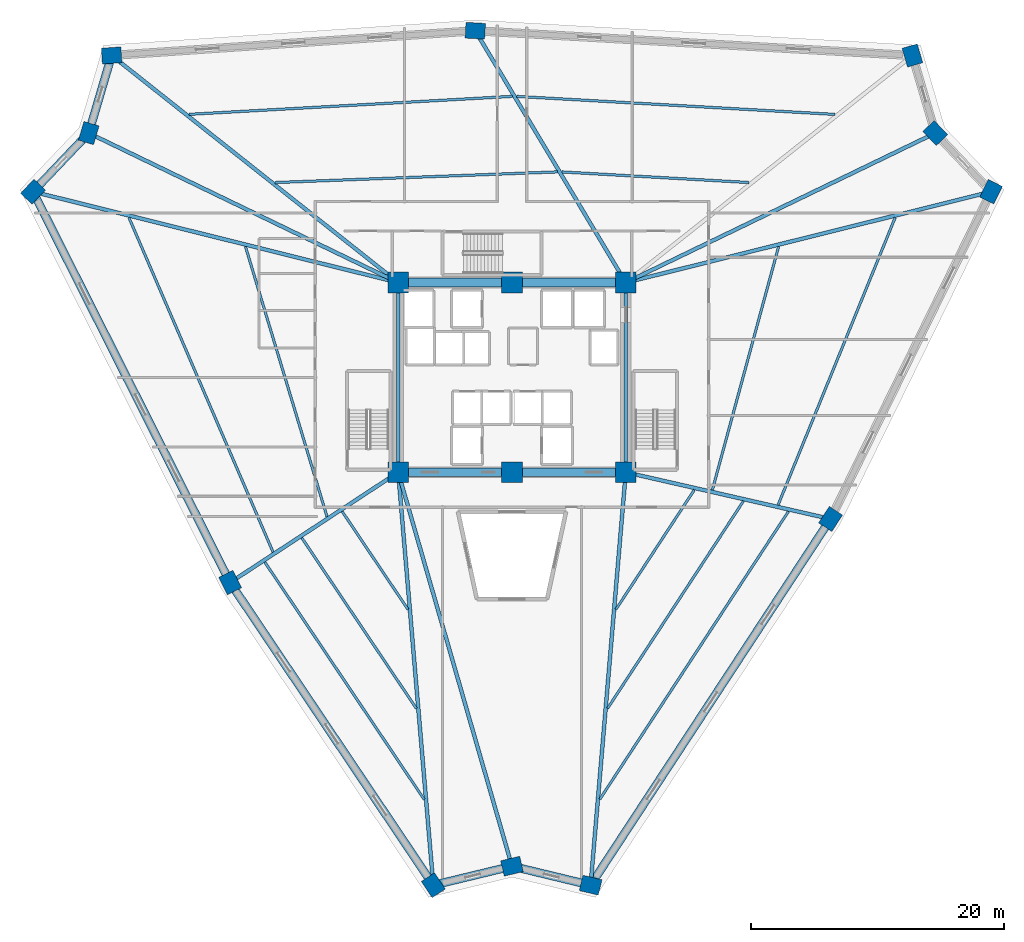
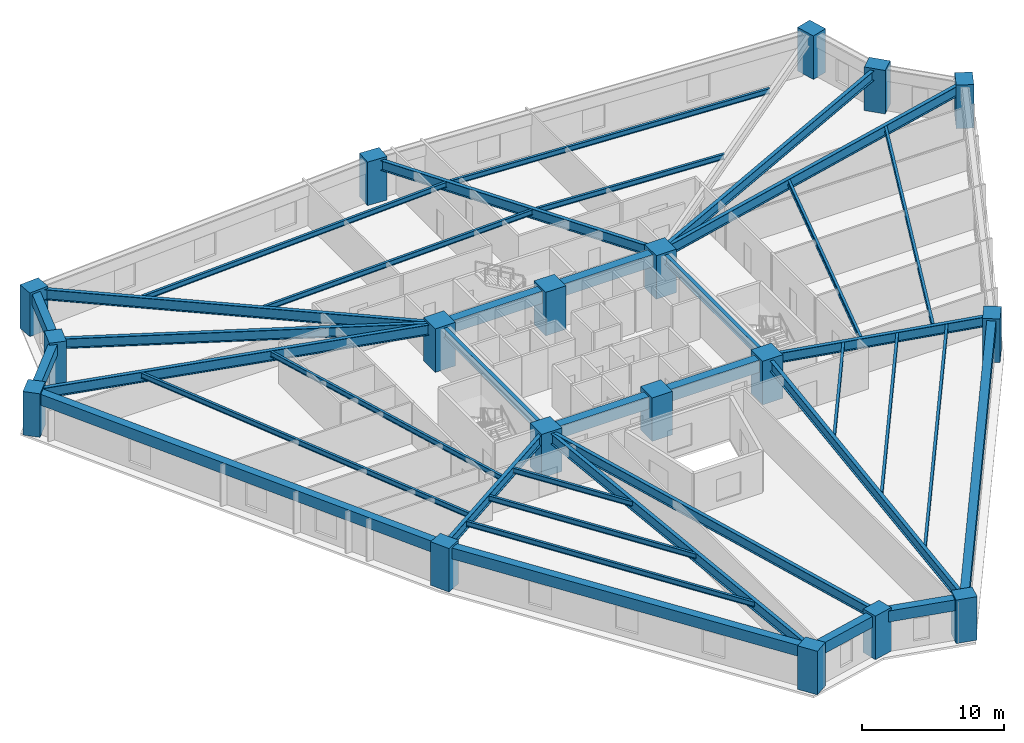
# One storey, part 1 of 8: 38 beams, 18 columns.
"""IFC4 building model written with IfcOpenShell, lengths in metres."""

from ifc_helpers import new_model, si_unit, direction, frame, origin, origin_2d, place, context, subcontext, project, spatial, rectangle, i_section, extrude, source, transform, mapped, material, material_profile, profile_set, type_object, element, save


model = new_model("IFC4")

# Units and contexts
model_context = context("Model", 3, precision=1e-05, world=origin(), true_north=direction((0.0, 1.0)))
body_context = subcontext(model_context, "Body", "Model", "MODEL_VIEW")
ifc_project = project(units=[si_unit("LENGTHUNIT", "METRE"), si_unit("AREAUNIT", "SQUARE_METRE"), si_unit("VOLUMEUNIT", "CUBIC_METRE"), si_unit("PLANEANGLEUNIT", "RADIAN"), si_unit("MASSUNIT", "GRAM", prefix="KILO")], contexts=[model_context])

# Site, building, storey
site_placement = place(None, origin())
site = spatial("IfcSite", under=ifc_project, at=site_placement, CompositionType="ELEMENT")
building_placement = place(site_placement, origin())
building = spatial("IfcBuilding", under=site, at=building_placement, Name="Liaohun Quay Tower", CompositionType="ELEMENT")
storey_placement = place(building_placement, frame((0.0, 0.0, 78.0)))
storey = spatial("IfcBuildingStorey", under=building, at=storey_placement, Name="L20", CompositionType="ELEMENT", Elevation=78.0)

# Columns
ifc_material_1 = material(Name="Concrete C60", Category="concrete")
ifc_material_profile_1 = material_profile(ifc_material_1, rectangle(XDim=1.64990234375, YDim=1.64990234375, at=origin_2d()), Name="RC1650x1650")
ifc_profile_set_1 = profile_set([ifc_material_profile_1], Name="Concrete C60")
column_type_1 = type_object("IfcColumnType", Name="COL-CC-Z1", PredefinedType="COLUMN", material=ifc_profile_set_1)
shared_shape_1 = source(origin(), body_context, "Body", "SweptSolid", [
    extrude(rectangle(XDim=1.64990234375, YDim=1.64990234375, at=origin_2d()), origin(), (0.0, 0.0, 1.0), 3.75),
])
for number, where, z_axis, x_axis, name in (
    (1, (51.0, 46.5, 0.0), (0.0, 0.0, 1.0), (1.0, 0.0, 0.0), "L20 Core Column CC1"),
    (2, (60.0, 46.5, 0.0), (0.0, 0.0, 1.0), (1.0, 0.0, 0.0), "L20 Core Column CC2"),
    (3, (69.0, 46.5, 0.0), (0.0, 0.0, 1.0), (1.0, 0.0, 0.0), "L20 Core Column CC3"),
    (4, (69.0, 61.5, 0.0), (0.0, 0.0, 1.0), (1.0, 0.0, 0.0), "L20 Core Column CC4"),
    (5, (60.0, 61.5, 0.0), (0.0, 0.0, 1.0), (1.0, 0.0, 0.0), "L20 Core Column CC5"),
    (6, (51.0, 61.5, 0.0), (0.0, 0.0, 1.0), (1.0, 0.0, 0.0), "L20 Core Column CC6"),
):
    element("IfcColumn", number, at=place(storey_placement, frame(where, z_axis=z_axis, x_axis=x_axis)), inside=storey, type_object=column_type_1, Name=name, PredefinedType="COLUMN", context=body_context, shape_type="MappedRepresentation", body=[
        mapped(shared_shape_1, transform((0.0, 0.0, 0.0), x_axis=(1.0, 0.0, 0.0), y_axis=(0.0, 1.0, 0.0), z_axis=(0.0, 0.0, 1.0), scale=1.0)),
    ])
ifc_material_profile_2 = material_profile(ifc_material_1, rectangle(XDim=1.550048828125, YDim=1.25, at=origin_2d()), Name="RC1550x1250")
ifc_profile_set_2 = profile_set([ifc_material_profile_2], Name="Concrete C60")
column_type_2 = type_object("IfcColumnType", Name="COL-PIER-Z1", PredefinedType="COLUMN", material=ifc_profile_set_2)
shared_shape_2 = source(origin(), body_context, "Body", "SweptSolid", [
    extrude(rectangle(XDim=1.550048828125, YDim=1.25, at=origin_2d()), origin(), (0.0, 0.0, 1.0), 3.75),
])
for number, where, z_axis, x_axis, name in (
    (7, (53.777099609375, 13.843994140625, 0.0), (0.0, 0.0, 1.0), (-0.557455346062, 0.830206924295, 0.0), "L20 Perimeter Pier PC01"),
    (8, (37.70703125, 37.777099609375, 0.0), (0.0, 0.0, 1.0), (-0.450254288408, 0.892900372813, 0.0), "L20 Perimeter Pier PC02"),
    (9, (22.117919921875, 68.693115234375, 0.0), (0.0, 0.0, 1.0), (0.68936671806, 0.724412539946, 0.0), "L20 Perimeter Pier PC03"),
    (10, (26.52587890625, 73.325927734375, 0.0), (0.0, 0.0, 1.0), (0.282676303383, 0.959215360337, 0.0), "L20 Perimeter Pier PC04"),
    (11, (28.3359375, 79.467041015625, 0.0), (0.0, 0.0, 1.0), (0.997707959868, 0.067667029017, 0.0), "L20 Perimeter Pier PC05"),
    (12, (57.096923828125, 81.41796875, 0.0), (0.0, 0.0, 1.0), (-0.998401550109, 0.056518534482, 0.0), "L20 Perimeter Pier PC06"),
    (13, (91.666015625, 79.4599609375, 0.0), (0.0, 0.0, 1.0), (-0.282676303383, 0.959215360337, 0.0), "L20 Perimeter Pier PC07"),
    (14, (93.47412109375, 73.325927734375, 0.0), (0.0, 0.0, 1.0), (-0.68936671806, 0.724412539946, 0.0), "L20 Perimeter Pier PC08"),
    (15, (97.886962890625, 68.68798828125, 0.0), (0.0, 0.0, 1.0), (0.440252613806, 0.897873953312, 0.0), "L20 Perimeter Pier PC09"),
    (16, (85.196044921875, 42.805908203125, 0.0), (0.0, 0.0, 1.0), (0.548147261701, 0.836381838331, 0.0), "L20 Perimeter Pier PC10"),
    (17, (66.216064453125, 13.845947265625, 0.0), (0.0, 0.0, 1.0), (-0.972043021443, 0.234802820391, 0.0), "L20 Perimeter Pier PC11"),
    (18, (60.0, 15.346923828125, 0.0), (0.0, 0.0, 1.0), (0.972043021443, 0.234802820391, 0.0), "L20 Perimeter Pier PC12"),
):
    element("IfcColumn", number, at=place(storey_placement, frame(where, z_axis=z_axis, x_axis=x_axis)), inside=storey, type_object=column_type_2, Name=name, PredefinedType="COLUMN", context=body_context, shape_type="MappedRepresentation", body=[
        mapped(shared_shape_2, transform((0.0, 0.0, 0.0), x_axis=(1.0, 0.0, 0.0), y_axis=(0.0, 1.0, 0.0), z_axis=(0.0, 0.0, 1.0), scale=1.0)),
    ])

# Beams
ifc_material_profile_3 = material_profile(ifc_material_1, rectangle(XDim=0.699951171875, YDim=1.050048828125, at=origin_2d()), Name="RC700x1050")
ifc_profile_set_3 = profile_set([ifc_material_profile_3], Name="Concrete C60")
beam_type_1 = type_object("IfcBeamType", Name="BM-CPL-1", PredefinedType="LINTEL", material=ifc_profile_set_3)
shared_shape_3 = source(origin(), body_context, "Body", "SweptSolid", [
    extrude(rectangle(XDim=0.699951171875, YDim=1.050048828125, at=origin_2d()), origin(), (0.0, 0.0, 1.0), 9.0),
])
for number, where, z_axis, x_axis, name in (
    (19, (51.0, 46.5, 3.044921875), (1.0, 0.0, 0.0), (0.0, 1.0, 0.0), "L20 Core Coupling/Ring Beam CC1-CC2"),
    (20, (60.0, 46.5, 3.044921875), (1.0, 0.0, 0.0), (0.0, 1.0, 0.0), "L20 Core Coupling/Ring Beam CC2-CC3"),
    (21, (69.0, 61.5, 3.044921875), (-1.0, 0.0, 0.0), (0.0, -1.0, 0.0), "L20 Core Coupling/Ring Beam CC4-CC5"),
    (22, (60.0, 61.5, 3.044921875), (-1.0, 0.0, 0.0), (0.0, -1.0, 0.0), "L20 Core Coupling/Ring Beam CC5-CC6"),
):
    element("IfcBeam", number, at=place(storey_placement, frame(where, z_axis=z_axis, x_axis=x_axis)), inside=storey, type_object=beam_type_1, Name=name, PredefinedType="LINTEL", context=body_context, shape_type="MappedRepresentation", body=[
        mapped(shared_shape_3, transform((0.0, 0.0, 0.0), x_axis=(1.0, 0.0, 0.0), y_axis=(0.0, 1.0, 0.0), z_axis=(0.0, 0.0, 1.0), scale=1.0)),
    ])
ifc_material_2 = material(Name="Steel Q355D", Category="steel")
ifc_material_profile_4 = material_profile(ifc_material_2, i_section(OverallWidth=0.300048828125, OverallDepth=0.800048828125, WebThickness=0.013916015625, FlangeThickness=0.02587890625, at=origin_2d()), Name="HN800x300x14x26")
ifc_profile_set_4 = profile_set([ifc_material_profile_4], Name="Steel Q355D")
beam_type_2 = type_object("IfcBeamType", Name="BM-RAD-M1", PredefinedType="BEAM", material=ifc_profile_set_4)
shared_shape_4 = source(origin(), body_context, "Body", "SweptSolid", [
    extrude(i_section(OverallWidth=0.300048828125, OverallDepth=0.800048828125, WebThickness=0.013916015625, FlangeThickness=0.02587890625, at=origin_2d()), origin(), (0.0, 0.0, 1.0), 15.0),
])
for number, where, z_axis, x_axis, name in (
    (23, (69.0, 46.5, 3.169921875), (0.0, 1.0, 0.0), (-1.0, 0.0, 0.0), "L20 Core Coupling/Ring Beam CC3-CC4"),
    (24, (51.0, 61.5, 3.169921875), (0.0, -1.0, 0.0), (1.0, 0.0, 0.0), "L20 Core Coupling/Ring Beam CC6-CC1"),
):
    element("IfcBeam", number, at=place(storey_placement, frame(where, z_axis=z_axis, x_axis=x_axis)), inside=storey, type_object=beam_type_2, Name=name, PredefinedType="BEAM", context=body_context, shape_type="MappedRepresentation", body=[
        mapped(shared_shape_4, transform((0.0, 0.0, 0.0), x_axis=(1.0, 0.0, 0.0), y_axis=(0.0, 1.0, 0.0), z_axis=(0.0, 0.0, 1.0), scale=1.0)),
    ])
ifc_material_3 = material(Name="Steel Q420D", Category="steel")
ifc_material_profile_5 = material_profile(ifc_material_3, i_section(OverallWidth=0.300048828125, OverallDepth=0.89990234375, WebThickness=0.01611328125, FlangeThickness=0.028076171875, at=origin_2d()), Name="HN900x300x16x28")
ifc_profile_set_5 = profile_set([ifc_material_profile_5], Name="Steel Q420D")
beam_type_3 = type_object("IfcBeamType", Name="BM-RAD-H1", PredefinedType="BEAM", material=ifc_profile_set_5)
shared_shape_5 = source(origin(), body_context, "Body", "SweptSolid", [
    extrude(i_section(OverallWidth=0.300048828125, OverallDepth=0.89990234375, WebThickness=0.01611328125, FlangeThickness=0.028076171875, at=origin_2d()), origin(), (0.0, 0.0, 1.0), 32.77392578125),
])
beam_1_placement = place(storey_placement, frame((51.0, 46.5, 3.1201171875), z_axis=(0.084735157387, -0.996403509178, 0.0), x_axis=(0.996403509178, 0.084735157387, 0.0)))
element("IfcBeam", 25, at=beam_1_placement, inside=storey, type_object=beam_type_3, Name="L20 Radial Primary Girder CC1-PC01", PredefinedType="BEAM", context=body_context, shape_type="MappedRepresentation", body=[
    mapped(shared_shape_5, transform((0.0, 0.0, 0.0), x_axis=(1.0, 0.0, 0.0), y_axis=(0.0, 1.0, 0.0), z_axis=(0.0, 0.0, 1.0), scale=1.0)),
])
ifc_material_profile_6 = material_profile(ifc_material_2, i_section(OverallWidth=0.300048828125, OverallDepth=0.85009765625, WebThickness=0.01611328125, FlangeThickness=0.028076171875, at=origin_2d()), Name="HN850x300x16x28")
ifc_profile_set_6 = profile_set([ifc_material_profile_6], Name="Steel Q355D")
beam_type_4 = type_object("IfcBeamType", Name="BM-RAD-H2", PredefinedType="BEAM", material=ifc_profile_set_6)
shared_shape_6 = source(origin(), body_context, "Body", "SweptSolid", [
    extrude(i_section(OverallWidth=0.300048828125, OverallDepth=0.85009765625, WebThickness=0.01611328125, FlangeThickness=0.028076171875, at=origin_2d()), origin(), (0.0, 0.0, 1.0), 15.8994140625),
])
beam_2_placement = place(storey_placement, frame((51.0, 46.5, 3.14501953125), z_axis=(-0.836065519218, -0.54862960873, 0.0), x_axis=(0.54862960873, -0.836065519218, 0.0)))
element("IfcBeam", 26, at=beam_2_placement, inside=storey, type_object=beam_type_4, Name="L20 Radial Primary Girder CC1-PC02", PredefinedType="BEAM", context=body_context, shape_type="MappedRepresentation", body=[
    mapped(shared_shape_6, transform((0.0, 0.0, 0.0), x_axis=(1.0, 0.0, 0.0), y_axis=(0.0, 1.0, 0.0), z_axis=(0.0, 0.0, 1.0), scale=1.0)),
])
shared_shape_7 = source(origin(), body_context, "Body", "SweptSolid", [
    extrude(i_section(OverallWidth=0.300048828125, OverallDepth=0.89990234375, WebThickness=0.01611328125, FlangeThickness=0.028076171875, at=origin_2d()), origin(), (0.0, 0.0, 1.0), 29.764404296875),
])
beam_3_placement = place(storey_placement, frame((51.0, 61.5, 3.1201171875), z_axis=(-0.970358754461, 0.241668962923, 0.0), x_axis=(-0.241668962923, -0.970358754461, 0.0)))
element("IfcBeam", 27, at=beam_3_placement, inside=storey, type_object=beam_type_3, Name="L20 Radial Primary Girder CC6-PC03", PredefinedType="BEAM", context=body_context, shape_type="MappedRepresentation", body=[
    mapped(shared_shape_7, transform((0.0, 0.0, 0.0), x_axis=(1.0, 0.0, 0.0), y_axis=(0.0, 1.0, 0.0), z_axis=(0.0, 0.0, 1.0), scale=1.0)),
])
shared_shape_8 = source(origin(), body_context, "Body", "SweptSolid", [
    extrude(i_section(OverallWidth=0.300048828125, OverallDepth=0.85009765625, WebThickness=0.01611328125, FlangeThickness=0.028076171875, at=origin_2d()), origin(), (0.0, 0.0, 1.0), 27.181640625),
])
for number, where, z_axis, x_axis, name in (
    (28, (51.0, 61.5, 3.14501953125), (-0.900395517446, 0.435072306821, 0.0), (-0.435072306821, -0.900395517446, 0.0), "L20 Radial Primary Girder CC6-PC04"),
    (29, (69.0, 61.5, 3.14501953125), (0.900395517446, 0.435072306821, 0.0), (-0.435072306821, 0.900395517446, 0.0), "L20 Radial Primary Girder CC4-PC08"),
):
    element("IfcBeam", number, at=place(storey_placement, frame(where, z_axis=z_axis, x_axis=x_axis)), inside=storey, type_object=beam_type_4, Name=name, PredefinedType="BEAM", context=body_context, shape_type="MappedRepresentation", body=[
        mapped(shared_shape_8, transform((0.0, 0.0, 0.0), x_axis=(1.0, 0.0, 0.0), y_axis=(0.0, 1.0, 0.0), z_axis=(0.0, 0.0, 1.0), scale=1.0)),
    ])
shared_shape_9 = source(origin(), body_context, "Body", "SweptSolid", [
    extrude(i_section(OverallWidth=0.300048828125, OverallDepth=0.89990234375, WebThickness=0.01611328125, FlangeThickness=0.028076171875, at=origin_2d()), origin(), (0.0, 0.0, 1.0), 28.921875),
])
beam_4_placement = place(storey_placement, frame((51.0, 61.5, 3.1201171875), z_axis=(-0.783630733102, 0.621226910346, 0.0), x_axis=(-0.621226910346, -0.783630733102, 0.0)))
element("IfcBeam", 30, at=beam_4_placement, inside=storey, type_object=beam_type_3, Name="L20 Radial Primary Girder CC6-PC05", PredefinedType="BEAM", context=body_context, shape_type="MappedRepresentation", body=[
    mapped(shared_shape_9, transform((0.0, 0.0, 0.0), x_axis=(1.0, 0.0, 0.0), y_axis=(0.0, 1.0, 0.0), z_axis=(0.0, 0.0, 1.0), scale=1.0)),
])
shared_shape_10 = source(origin(), body_context, "Body", "SweptSolid", [
    extrude(i_section(OverallWidth=0.300048828125, OverallDepth=0.85009765625, WebThickness=0.01611328125, FlangeThickness=0.028076171875, at=origin_2d()), origin(), (0.0, 0.0, 1.0), 23.20361328125),
])
beam_5_placement = place(storey_placement, frame((69.0, 61.5, 3.14501953125), z_axis=(-0.512983241791, 0.858398621645, 0.0), x_axis=(-0.858398621645, -0.512983241791, 0.0)))
element("IfcBeam", 31, at=beam_5_placement, inside=storey, type_object=beam_type_4, Name="L20 Radial Primary Girder CC4-PC06", PredefinedType="BEAM", context=body_context, shape_type="MappedRepresentation", body=[
    mapped(shared_shape_10, transform((0.0, 0.0, 0.0), x_axis=(1.0, 0.0, 0.0), y_axis=(0.0, 1.0, 0.0), z_axis=(0.0, 0.0, 1.0), scale=1.0)),
])
shared_shape_11 = source(origin(), body_context, "Body", "SweptSolid", [
    extrude(i_section(OverallWidth=0.300048828125, OverallDepth=0.89990234375, WebThickness=0.01611328125, FlangeThickness=0.028076171875, at=origin_2d()), origin(), (0.0, 0.0, 1.0), 29.767822265625),
])
beam_6_placement = place(storey_placement, frame((69.0, 61.5, 3.1201171875), z_axis=(0.970408702908, 0.241468319495, 0.0), x_axis=(-0.241468319495, 0.970408702908, 0.0)))
element("IfcBeam", 32, at=beam_6_placement, inside=storey, type_object=beam_type_3, Name="L20 Radial Primary Girder CC4-PC09", PredefinedType="BEAM", context=body_context, shape_type="MappedRepresentation", body=[
    mapped(shared_shape_11, transform((0.0, 0.0, 0.0), x_axis=(1.0, 0.0, 0.0), y_axis=(0.0, 1.0, 0.0), z_axis=(0.0, 0.0, 1.0), scale=1.0)),
])
shared_shape_12 = source(origin(), body_context, "Body", "SweptSolid", [
    extrude(i_section(OverallWidth=0.300048828125, OverallDepth=0.85009765625, WebThickness=0.01611328125, FlangeThickness=0.028076171875, at=origin_2d()), origin(), (0.0, 0.0, 1.0), 16.612060546875),
])
beam_7_placement = place(storey_placement, frame((69.0, 46.5, 3.14501953125), z_axis=(0.974961199586, -0.222375041995, 0.0), x_axis=(0.222375041995, 0.974961199586, 0.0)))
element("IfcBeam", 33, at=beam_7_placement, inside=storey, type_object=beam_type_4, Name="L20 Radial Primary Girder CC3-PC10", PredefinedType="BEAM", context=body_context, shape_type="MappedRepresentation", body=[
    mapped(shared_shape_12, transform((0.0, 0.0, 0.0), x_axis=(1.0, 0.0, 0.0), y_axis=(0.0, 1.0, 0.0), z_axis=(0.0, 0.0, 1.0), scale=1.0)),
])
shared_shape_13 = source(origin(), body_context, "Body", "SweptSolid", [
    extrude(i_section(OverallWidth=0.300048828125, OverallDepth=0.89990234375, WebThickness=0.01611328125, FlangeThickness=0.028076171875, at=origin_2d()), origin(), (0.0, 0.0, 1.0), 32.7724609375),
])
beam_8_placement = place(storey_placement, frame((69.0, 46.5, 3.1201171875), z_axis=(-0.084947277094, -0.996385447563, 0.0), x_axis=(0.996385447563, -0.084947277094, 0.0)))
element("IfcBeam", 34, at=beam_8_placement, inside=storey, type_object=beam_type_3, Name="L20 Radial Primary Girder CC3-PC11", PredefinedType="BEAM", context=body_context, shape_type="MappedRepresentation", body=[
    mapped(shared_shape_13, transform((0.0, 0.0, 0.0), x_axis=(1.0, 0.0, 0.0), y_axis=(0.0, 1.0, 0.0), z_axis=(0.0, 0.0, 1.0), scale=1.0)),
])
shared_shape_14 = source(origin(), body_context, "Body", "SweptSolid", [
    extrude(i_section(OverallWidth=0.300048828125, OverallDepth=0.85009765625, WebThickness=0.01611328125, FlangeThickness=0.028076171875, at=origin_2d()), origin(), (0.0, 0.0, 1.0), 32.427001953125),
])
beam_9_placement = place(storey_placement, frame((51.0, 46.5, 3.14501953125), z_axis=(0.277545984105, -0.960712353781, 0.0), x_axis=(0.960712353781, 0.277545984105, 0.0)))
element("IfcBeam", 35, at=beam_9_placement, inside=storey, type_object=beam_type_4, Name="L20 Radial Primary Girder CC1-PC12", PredefinedType="BEAM", context=body_context, shape_type="MappedRepresentation", body=[
    mapped(shared_shape_14, transform((0.0, 0.0, 0.0), x_axis=(1.0, 0.0, 0.0), y_axis=(0.0, 1.0, 0.0), z_axis=(0.0, 0.0, 1.0), scale=1.0)),
])
ifc_material_profile_7 = material_profile(ifc_material_2, i_section(OverallWidth=0.199951171875, OverallDepth=0.449951171875, WebThickness=0.009033203125, FlangeThickness=0.013916015625, at=origin_2d()), Name="HN450x200x9x14")
ifc_profile_set_7 = profile_set([ifc_material_profile_7], Name="Steel Q355D")
beam_type_5 = type_object("IfcBeamType", Name="BM-SEC-J1", PredefinedType="JOIST", material=ifc_profile_set_7)
shared_shape_15 = source(origin(), body_context, "Body", "SweptSolid", [
    extrude(i_section(OverallWidth=0.199951171875, OverallDepth=0.449951171875, WebThickness=0.009033203125, FlangeThickness=0.013916015625, at=origin_2d()), origin(), (0.0, 0.0, 1.0), 9.34228515625),
])
beam_10_placement = place(storey_placement, frame((51.77197265625, 35.654052734375, 3.344970703125), z_axis=(-0.557471241996, 0.830196250502, 0.0), x_axis=(-0.830196250502, -0.557471241996, 0.0)))
element("IfcBeam", 36, at=beam_10_placement, inside=storey, type_object=beam_type_5, Name="L20 Wing Secondary Floor Joist SJ-01", PredefinedType="JOIST", context=body_context, shape_type="MappedRepresentation", body=[
    mapped(shared_shape_15, transform((0.0, 0.0, 0.0), x_axis=(1.0, 0.0, 0.0), y_axis=(0.0, 1.0, 0.0), z_axis=(0.0, 0.0, 1.0), scale=1.0)),
])
shared_shape_16 = source(origin(), body_context, "Body", "SweptSolid", [
    extrude(i_section(OverallWidth=0.199951171875, OverallDepth=0.449951171875, WebThickness=0.009033203125, FlangeThickness=0.013916015625, at=origin_2d()), origin(), (0.0, 0.0, 1.0), 16.260498046875),
])
beam_11_placement = place(storey_placement, frame((52.43798828125, 27.81591796875, 3.344970703125), z_axis=(-0.557420586454, 0.830230263118, 0.0), x_axis=(-0.830230263118, -0.557420586454, 0.0)))
element("IfcBeam", 37, at=beam_11_placement, inside=storey, type_object=beam_type_5, Name="L20 Wing Secondary Floor Joist SJ-02", PredefinedType="JOIST", context=body_context, shape_type="MappedRepresentation", body=[
    mapped(shared_shape_16, transform((0.0, 0.0, 0.0), x_axis=(1.0, 0.0, 0.0), y_axis=(0.0, 1.0, 0.0), z_axis=(0.0, 0.0, 1.0), scale=1.0)),
])
shared_shape_17 = source(origin(), body_context, "Body", "SweptSolid", [
    extrude(i_section(OverallWidth=0.199951171875, OverallDepth=0.449951171875, WebThickness=0.009033203125, FlangeThickness=0.013916015625, at=origin_2d()), origin(), (0.0, 0.0, 1.0), 22.602783203125),
])
beam_12_placement = place(storey_placement, frame((53.049072265625, 20.632080078125, 3.344970703125), z_axis=(-0.557458968959, 0.830204491633, 0.0), x_axis=(-0.830204491633, -0.557458968959, 0.0)))
element("IfcBeam", 38, at=beam_12_placement, inside=storey, type_object=beam_type_5, Name="L20 Wing Secondary Floor Joist SJ-03", PredefinedType="JOIST", context=body_context, shape_type="MappedRepresentation", body=[
    mapped(shared_shape_17, transform((0.0, 0.0, 0.0), x_axis=(1.0, 0.0, 0.0), y_axis=(0.0, 1.0, 0.0), z_axis=(0.0, 0.0, 1.0), scale=1.0)),
])
shared_shape_18 = source(origin(), body_context, "Body", "SweptSolid", [
    extrude(i_section(OverallWidth=0.199951171875, OverallDepth=0.449951171875, WebThickness=0.009033203125, FlangeThickness=0.013916015625, at=origin_2d()), origin(), (0.0, 0.0, 1.0), 22.32080078125),
])
beam_13_placement = place(storey_placement, frame((45.3720703125, 42.986083984375, 3.344970703125), z_axis=(-0.289064358546, 0.957309666001, 0.0), x_axis=(-0.957309666001, -0.289064358546, 0.0)))
element("IfcBeam", 39, at=beam_13_placement, inside=storey, type_object=beam_type_5, Name="L20 Wing Secondary Floor Joist SJ-04", PredefinedType="JOIST", context=body_context, shape_type="MappedRepresentation", body=[
    mapped(shared_shape_18, transform((0.0, 0.0, 0.0), x_axis=(1.0, 0.0, 0.0), y_axis=(0.0, 1.0, 0.0), z_axis=(0.0, 0.0, 1.0), scale=1.0)),
])
shared_shape_19 = source(origin(), body_context, "Body", "SweptSolid", [
    extrude(i_section(OverallWidth=0.199951171875, OverallDepth=0.449951171875, WebThickness=0.009033203125, FlangeThickness=0.013916015625, at=origin_2d()), origin(), (0.0, 0.0, 1.0), 28.816162109375),
])
beam_14_placement = place(storey_placement, frame((41.10302734375, 40.18505859375, 3.344970703125), z_axis=(-0.395649732373, 0.918401485883, 0.0), x_axis=(-0.918401485883, -0.395649732373, 0.0)))
element("IfcBeam", 40, at=beam_14_placement, inside=storey, type_object=beam_type_5, Name="L20 Wing Secondary Floor Joist SJ-05", PredefinedType="JOIST", context=body_context, shape_type="MappedRepresentation", body=[
    mapped(shared_shape_19, transform((0.0, 0.0, 0.0), x_axis=(1.0, 0.0, 0.0), y_axis=(0.0, 1.0, 0.0), z_axis=(0.0, 0.0, 1.0), scale=1.0)),
])
shared_shape_20 = source(origin(), body_context, "Body", "SweptSolid", [
    extrude(i_section(OverallWidth=0.199951171875, OverallDepth=0.449951171875, WebThickness=0.009033203125, FlangeThickness=0.013916015625, at=origin_2d()), origin(), (0.0, 0.0, 1.0), 22.349853515625),
])
beam_15_placement = place(storey_placement, frame((41.258056640625, 69.4140625, 3.344970703125), z_axis=(0.999288381748, 0.037719094689, 0.0), x_axis=(-0.037719094689, 0.999288381748, 0.0)))
element("IfcBeam", 41, at=beam_15_placement, inside=storey, type_object=beam_type_5, Name="L20 Wing Secondary Floor Joist SJ-06", PredefinedType="JOIST", context=body_context, shape_type="MappedRepresentation", body=[
    mapped(shared_shape_20, transform((0.0, 0.0, 0.0), x_axis=(1.0, 0.0, 0.0), y_axis=(0.0, 1.0, 0.0), z_axis=(0.0, 0.0, 1.0), scale=1.0)),
])
shared_shape_21 = source(origin(), body_context, "Body", "SweptSolid", [
    extrude(i_section(OverallWidth=0.199951171875, OverallDepth=0.449951171875, WebThickness=0.009033203125, FlangeThickness=0.013916015625, at=origin_2d()), origin(), (0.0, 0.0, 1.0), 25.6083984375),
])
beam_16_placement = place(storey_placement, frame((34.4541015625, 74.80810546875, 3.344970703125), z_axis=(0.998457359659, 0.055523877233, 0.0), x_axis=(-0.055523877233, 0.998457359659, 0.0)))
element("IfcBeam", 42, at=beam_16_placement, inside=storey, type_object=beam_type_5, Name="L20 Wing Secondary Floor Joist SJ-07", PredefinedType="JOIST", context=body_context, shape_type="MappedRepresentation", body=[
    mapped(shared_shape_21, transform((0.0, 0.0, 0.0), x_axis=(1.0, 0.0, 0.0), y_axis=(0.0, 1.0, 0.0), z_axis=(0.0, 0.0, 1.0), scale=1.0)),
])
shared_shape_22 = source(origin(), body_context, "Body", "SweptSolid", [
    extrude(i_section(OverallWidth=0.199951171875, OverallDepth=0.449951171875, WebThickness=0.009033203125, FlangeThickness=0.013916015625, at=origin_2d()), origin(), (0.0, 0.0, 1.0), 14.82763671875),
])
beam_17_placement = place(storey_placement, frame((63.944091796875, 70.25390625, 3.344970703125), z_axis=(0.998398390742, -0.056574317176, 0.0), x_axis=(0.056574317176, 0.998398390742, 0.0)))
element("IfcBeam", 43, at=beam_17_placement, inside=storey, type_object=beam_type_5, Name="L20 Wing Secondary Floor Joist SJ-08", PredefinedType="JOIST", context=body_context, shape_type="MappedRepresentation", body=[
    mapped(shared_shape_22, transform((0.0, 0.0, 0.0), x_axis=(1.0, 0.0, 0.0), y_axis=(0.0, 1.0, 0.0), z_axis=(0.0, 0.0, 1.0), scale=1.0)),
])
shared_shape_23 = source(origin(), body_context, "Body", "SweptSolid", [
    extrude(i_section(OverallWidth=0.199951171875, OverallDepth=0.449951171875, WebThickness=0.009033203125, FlangeThickness=0.013916015625, at=origin_2d()), origin(), (0.0, 0.0, 1.0), 25.21435546875),
])
beam_18_placement = place(storey_placement, frame((60.373046875, 76.22900390625, 3.344970703125), z_axis=(0.99839943277, -0.056555924925, 0.0), x_axis=(0.056555924925, 0.99839943277, 0.0)))
element("IfcBeam", 44, at=beam_18_placement, inside=storey, type_object=beam_type_5, Name="L20 Wing Secondary Floor Joist SJ-09", PredefinedType="JOIST", context=body_context, shape_type="MappedRepresentation", body=[
    mapped(shared_shape_23, transform((0.0, 0.0, 0.0), x_axis=(1.0, 0.0, 0.0), y_axis=(0.0, 1.0, 0.0), z_axis=(0.0, 0.0, 1.0), scale=1.0)),
])
shared_shape_24 = source(origin(), body_context, "Body", "SweptSolid", [
    extrude(i_section(OverallWidth=0.199951171875, OverallDepth=0.449951171875, WebThickness=0.009033203125, FlangeThickness=0.013916015625, at=origin_2d()), origin(), (0.0, 0.0, 1.0), 19.96142578125),
])
beam_19_placement = place(storey_placement, frame((81.0869140625, 64.35302734375, 3.344970703125), z_axis=(-0.262751031844, -0.964863666673, 0.0), x_axis=(0.964863666673, -0.262751031844, 0.0)))
element("IfcBeam", 45, at=beam_19_placement, inside=storey, type_object=beam_type_5, Name="L20 Wing Secondary Floor Joist SJ-10", PredefinedType="JOIST", context=body_context, shape_type="MappedRepresentation", body=[
    mapped(shared_shape_24, transform((0.0, 0.0, 0.0), x_axis=(1.0, 0.0, 0.0), y_axis=(0.0, 1.0, 0.0), z_axis=(0.0, 0.0, 1.0), scale=1.0)),
])
shared_shape_25 = source(origin(), body_context, "Body", "SweptSolid", [
    extrude(i_section(OverallWidth=0.199951171875, OverallDepth=0.449951171875, WebThickness=0.009033203125, FlangeThickness=0.013916015625, at=origin_2d()), origin(), (0.0, 0.0, 1.0), 24.5546875),
])
beam_20_placement = place(storey_placement, frame((90.305908203125, 66.64697265625, 3.344970703125), z_axis=(-0.37727856914, -0.926099822518, 0.0), x_axis=(0.926099822518, -0.37727856914, 0.0)))
element("IfcBeam", 46, at=beam_20_placement, inside=storey, type_object=beam_type_5, Name="L20 Wing Secondary Floor Joist SJ-11", PredefinedType="JOIST", context=body_context, shape_type="MappedRepresentation", body=[
    mapped(shared_shape_25, transform((0.0, 0.0, 0.0), x_axis=(1.0, 0.0, 0.0), y_axis=(0.0, 1.0, 0.0), z_axis=(0.0, 0.0, 1.0), scale=1.0)),
])
shared_shape_26 = source(origin(), body_context, "Body", "SweptSolid", [
    extrude(i_section(OverallWidth=0.199951171875, OverallDepth=0.449951171875, WebThickness=0.009033203125, FlangeThickness=0.013916015625, at=origin_2d()), origin(), (0.0, 0.0, 1.0), 11.296630859375),
])
beam_21_placement = place(storey_placement, frame((74.4189453125, 45.110107421875, 3.344970703125), z_axis=(-0.548199875481, -0.836347353988, 0.0), x_axis=(0.836347353988, -0.548199875481, 0.0)))
element("IfcBeam", 47, at=beam_21_placement, inside=storey, type_object=beam_type_5, Name="L20 Wing Secondary Floor Joist SJ-12", PredefinedType="JOIST", context=body_context, shape_type="MappedRepresentation", body=[
    mapped(shared_shape_26, transform((0.0, 0.0, 0.0), x_axis=(1.0, 0.0, 0.0), y_axis=(0.0, 1.0, 0.0), z_axis=(0.0, 0.0, 1.0), scale=1.0)),
])
shared_shape_27 = source(origin(), body_context, "Body", "SweptSolid", [
    extrude(i_section(OverallWidth=0.199951171875, OverallDepth=0.449951171875, WebThickness=0.009033203125, FlangeThickness=0.013916015625, at=origin_2d()), origin(), (0.0, 0.0, 1.0), 19.607421875),
])
beam_22_placement = place(storey_placement, frame((78.305908203125, 44.22412109375, 3.344970703125), z_axis=(-0.548151822623, -0.836378849179, 0.0), x_axis=(0.836378849179, -0.548151822623, 0.0)))
element("IfcBeam", 48, at=beam_22_placement, inside=storey, type_object=beam_type_5, Name="L20 Wing Secondary Floor Joist SJ-13", PredefinedType="JOIST", context=body_context, shape_type="MappedRepresentation", body=[
    mapped(shared_shape_27, transform((0.0, 0.0, 0.0), x_axis=(1.0, 0.0, 0.0), y_axis=(0.0, 1.0, 0.0), z_axis=(0.0, 0.0, 1.0), scale=1.0)),
])
shared_shape_28 = source(origin(), body_context, "Body", "SweptSolid", [
    extrude(i_section(OverallWidth=0.199951171875, OverallDepth=0.449951171875, WebThickness=0.009033203125, FlangeThickness=0.013916015625, at=origin_2d()), origin(), (0.0, 0.0, 1.0), 27.22412109375),
])
beam_23_placement = place(storey_placement, frame((81.868896484375, 43.410888671875, 3.344970703125), z_axis=(-0.548147630153, -0.836381596855, 0.0), x_axis=(0.836381596855, -0.548147630153, 0.0)))
element("IfcBeam", 49, at=beam_23_placement, inside=storey, type_object=beam_type_5, Name="L20 Wing Secondary Floor Joist SJ-14", PredefinedType="JOIST", context=body_context, shape_type="MappedRepresentation", body=[
    mapped(shared_shape_28, transform((0.0, 0.0, 0.0), x_axis=(1.0, 0.0, 0.0), y_axis=(0.0, 1.0, 0.0), z_axis=(0.0, 0.0, 1.0), scale=1.0)),
])
ifc_material_4 = material(Name="Precast concrete C55", Category="concrete")
ifc_material_profile_8 = material_profile(ifc_material_4, rectangle(XDim=0.64990234375, YDim=0.949951171875, at=origin_2d()), Name="RC650x950")
ifc_profile_set_8 = profile_set([ifc_material_profile_8], Name="Precast concrete C55")
beam_type_6 = type_object("IfcBeamType", Name="BM-SPD-Z1", PredefinedType="SPANDREL", material=ifc_profile_set_8)
shared_shape_29 = source(origin(), body_context, "Body", "SweptSolid", [
    extrude(rectangle(XDim=0.64990234375, YDim=0.949951171875, at=origin_2d()), origin(), (0.0, 0.0, 1.0), 28.827880859375),
])
beam_24_placement = place(storey_placement, frame((53.777099609375, 13.843994140625, 3.094970703125), z_axis=(-0.557450865943, 0.830209932522, 0.0), x_axis=(-0.830209932522, -0.557450865943, 0.0)))
element("IfcBeam", 50, at=beam_24_placement, inside=storey, type_object=beam_type_6, Name="L20 Precast Spandrel Beam PC01-PC02", PredefinedType="SPANDREL", context=body_context, shape_type="MappedRepresentation", body=[
    mapped(shared_shape_29, transform((0.0, 0.0, 0.0), x_axis=(1.0, 0.0, 0.0), y_axis=(0.0, 1.0, 0.0), z_axis=(0.0, 0.0, 1.0), scale=1.0)),
])
shared_shape_30 = source(origin(), body_context, "Body", "SweptSolid", [
    extrude(rectangle(XDim=0.64990234375, YDim=0.949951171875, at=origin_2d()), origin(), (0.0, 0.0, 1.0), 34.6240234375),
])
beam_25_placement = place(storey_placement, frame((37.70703125, 37.777099609375, 3.094970703125), z_axis=(-0.450240225915, 0.892907463833, 0.0), x_axis=(-0.892907463833, -0.450240225915, 0.0)))
element("IfcBeam", 51, at=beam_25_placement, inside=storey, type_object=beam_type_6, Name="L20 Precast Spandrel Beam PC02-PC03", PredefinedType="SPANDREL", context=body_context, shape_type="MappedRepresentation", body=[
    mapped(shared_shape_30, transform((0.0, 0.0, 0.0), x_axis=(1.0, 0.0, 0.0), y_axis=(0.0, 1.0, 0.0), z_axis=(0.0, 0.0, 1.0), scale=1.0)),
])
shared_shape_31 = source(origin(), body_context, "Body", "SweptSolid", [
    extrude(rectangle(XDim=0.64990234375, YDim=0.949951171875, at=origin_2d()), origin(), (0.0, 0.0, 1.0), 6.394775390625),
])
for number, where, z_axis, x_axis, name in (
    (52, (22.117919921875, 68.693115234375, 3.094970703125), (0.689307131095, 0.724469239527, 0.0), (-0.724469239527, 0.689307131095, 0.0), "L20 Precast Spandrel Beam PC03-PC04"),
    (53, (66.216064453125, 13.845947265625, 3.094970703125), (-0.97206268699, 0.234721393489, 0.0), (-0.234721393489, -0.97206268699, 0.0), "L20 Precast Spandrel Beam PC11-PC12"),
):
    element("IfcBeam", number, at=place(storey_placement, frame(where, z_axis=z_axis, x_axis=x_axis)), inside=storey, type_object=beam_type_6, Name=name, PredefinedType="SPANDREL", context=body_context, shape_type="MappedRepresentation", body=[
        mapped(shared_shape_31, transform((0.0, 0.0, 0.0), x_axis=(1.0, 0.0, 0.0), y_axis=(0.0, 1.0, 0.0), z_axis=(0.0, 0.0, 1.0), scale=1.0)),
    ])
shared_shape_32 = source(origin(), body_context, "Body", "SweptSolid", [
    extrude(rectangle(XDim=0.64990234375, YDim=0.949951171875, at=origin_2d()), origin(), (0.0, 0.0, 1.0), 6.40234375),
])
beam_26_placement = place(storey_placement, frame((26.52587890625, 73.325927734375, 3.094970703125), z_axis=(0.282719572849, 0.959202607965, 0.0), x_axis=(-0.959202607965, 0.282719572849, 0.0)))
element("IfcBeam", 54, at=beam_26_placement, inside=storey, type_object=beam_type_6, Name="L20 Precast Spandrel Beam PC04-PC05", PredefinedType="SPANDREL", context=body_context, shape_type="MappedRepresentation", body=[
    mapped(shared_shape_32, transform((0.0, 0.0, 0.0), x_axis=(1.0, 0.0, 0.0), y_axis=(0.0, 1.0, 0.0), z_axis=(0.0, 0.0, 1.0), scale=1.0)),
])
shared_shape_33 = source(origin(), body_context, "Body", "SweptSolid", [
    extrude(rectangle(XDim=0.64990234375, YDim=0.949951171875, at=origin_2d()), origin(), (0.0, 0.0, 1.0), 6.40185546875),
])
beam_27_placement = place(storey_placement, frame((60.0, 15.346923828125, 3.094970703125), z_axis=(-0.972051905812, -0.234766037592, 0.0), x_axis=(0.234766037592, -0.972051905812, 0.0)))
element("IfcBeam", 55, at=beam_27_placement, inside=storey, type_object=beam_type_6, Name="L20 Precast Spandrel Beam PC12-PC01", PredefinedType="SPANDREL", context=body_context, shape_type="MappedRepresentation", body=[
    mapped(shared_shape_33, transform((0.0, 0.0, 0.0), x_axis=(1.0, 0.0, 0.0), y_axis=(0.0, 1.0, 0.0), z_axis=(0.0, 0.0, 1.0), scale=1.0)),
])
shared_shape_34 = source(origin(), body_context, "Body", "SweptSolid", [
    extrude(rectangle(XDim=0.64990234375, YDim=0.949951171875, at=origin_2d()), origin(), (0.0, 0.0, 1.0), 34.62548828125),
])
beam_28_placement = place(storey_placement, frame((85.196044921875, 42.805908203125, 3.094970703125), z_axis=(-0.548151794867, -0.836378867371, 0.0), x_axis=(0.836378867371, -0.548151794867, 0.0)))
element("IfcBeam", 56, at=beam_28_placement, inside=storey, type_object=beam_type_6, Name="L20 Precast Spandrel Beam PC10-PC11", PredefinedType="SPANDREL", context=body_context, shape_type="MappedRepresentation", body=[
    mapped(shared_shape_34, transform((0.0, 0.0, 0.0), x_axis=(1.0, 0.0, 0.0), y_axis=(0.0, 1.0, 0.0), z_axis=(0.0, 0.0, 1.0), scale=1.0)),
])

save(model, "model.ifc")
